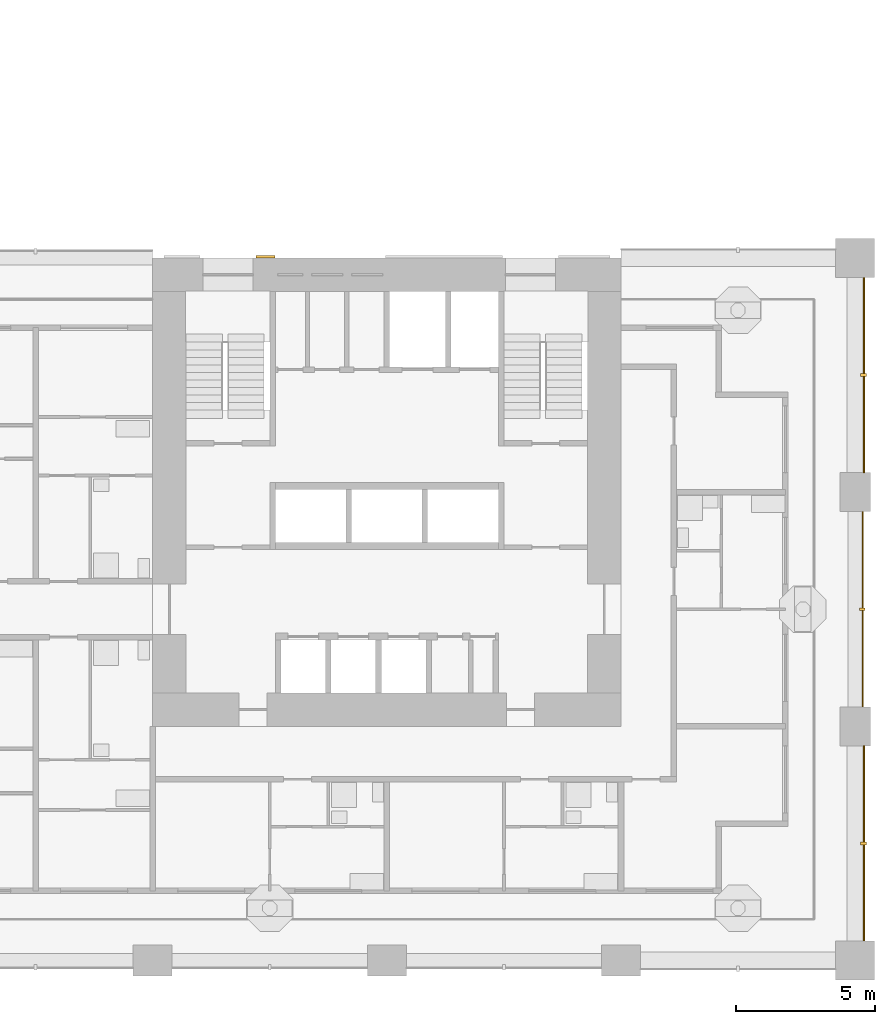
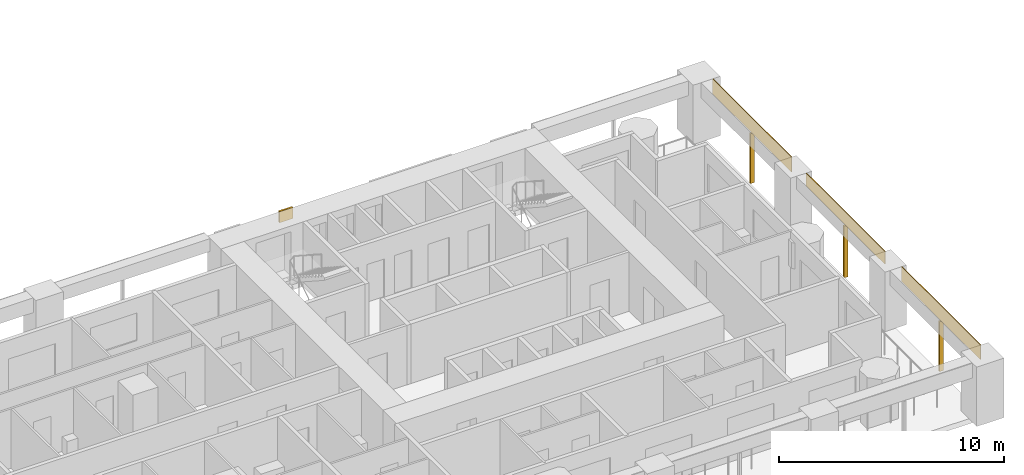
# One storey, part 18 of 22: 7 shading devices.
"""IFC4 building model written with IfcOpenShell, lengths in metres."""

from ifc_helpers import new_model, si_unit, direction, frame, origin, origin_2d, place, context, subcontext, project, spatial, rectangle, extrude, material, layer, layer_set, material_profile, profile_set, type_object, element, save


model = new_model("IFC4")

# Units and contexts
model_context = context("Model", 3, precision=1e-05, world=origin(), true_north=direction((0.0, 1.0)))
body_context = subcontext(model_context, "Body", "Model", "MODEL_VIEW")
ifc_project = project(units=[si_unit("LENGTHUNIT", "METRE"), si_unit("AREAUNIT", "SQUARE_METRE"), si_unit("VOLUMEUNIT", "CUBIC_METRE"), si_unit("PLANEANGLEUNIT", "RADIAN"), si_unit("MASSUNIT", "GRAM", prefix="KILO")], contexts=[model_context])

# Site, building, storey
site_placement = place(None, origin())
site = spatial("IfcSite", under=ifc_project, at=site_placement, CompositionType="ELEMENT")
building_placement = place(site_placement, origin())
building = spatial("IfcBuilding", under=site, at=building_placement, Name="Vermilion Gate Residences", CompositionType="ELEMENT")
storey_placement = place(building_placement, frame((0.0, 0.0, 56.699951171875)))
storey = spatial("IfcBuildingStorey", under=building, at=storey_placement, Name="L13", CompositionType="ELEMENT", Elevation=56.699951171875)

# Shading devices
ifc_material_1 = material(Name="Perforated terracotta", Category="masonry")
ifc_layer_1 = layer(ifc_material_1, 0.0400390625)
ifc_layer_set_1 = layer_set([ifc_layer_1], Name="PERFORATED TERRACOTTA SCREEN 40")
shading_device_type_1 = type_object("IfcShadingDeviceType", Name="PERFORATED TERRACOTTA SCREEN 40", PredefinedType="SHUTTER", material=ifc_layer_set_1)
shading_device_1_placement = place(storey_placement, frame((67.52001953125, 4.199951171875, 2.419921875), z_axis=(0.0, 0.0, 1.0), x_axis=(0.0, 1.0, 0.0)))
element("IfcShadingDevice", 1, at=shading_device_1_placement, inside=storey, type_object=shading_device_type_1, Name="SCREEN", PredefinedType="SHUTTER", context=body_context, shape_type="SweptSolid", body=[
    extrude(rectangle(XDim=7.0, YDim=0.0400390625, at=origin_2d()), origin(), (0.0, 0.0, 1.0), 0.800048828125),
])
shading_device_2_placement = place(storey_placement, frame((67.469970703125, 12.60009765625, 2.52001953125), z_axis=(0.0, 0.0, 1.0), x_axis=(0.0, 1.0, 0.0)))
element("IfcShadingDevice", 2, at=shading_device_2_placement, inside=storey, type_object=shading_device_type_1, Name="SCREEN", PredefinedType="SHUTTER", context=body_context, shape_type="SweptSolid", body=[
    extrude(rectangle(XDim=7.0, YDim=0.0400390625, at=origin_2d()), origin(), (0.0, 0.0, 1.0), 0.699951171875),
])
shading_device_3_placement = place(storey_placement, frame((67.52001953125, 21.0, 2.419921875), z_axis=(0.0, 0.0, 1.0), x_axis=(0.0, 1.0, 0.0)))
element("IfcShadingDevice", 3, at=shading_device_3_placement, inside=storey, type_object=shading_device_type_1, Name="SCREEN", PredefinedType="SHUTTER", context=body_context, shape_type="SweptSolid", body=[
    extrude(rectangle(XDim=7.0, YDim=0.0400390625, at=origin_2d()), origin(), (0.0, 0.0, 1.0), 0.800048828125),
])
ifc_material_2 = material(Name="Extruded terracotta", Category="masonry")
ifc_material_profile = material_profile(ifc_material_2, rectangle(XDim=0.199951171875, YDim=0.10009765625, at=origin_2d()), Name="BAGUETTE 100 X 200")
ifc_profile_set = profile_set([ifc_material_profile], Name="Extruded terracotta")
shading_device_type_2 = type_object("IfcShadingDeviceType", Name="TERRACOTTA BAGUETTE 100 X 200", PredefinedType="JALOUSIE", material=ifc_profile_set)
shading_device_4_placement = place(storey_placement, frame((67.5, 4.199951171875, -0.280029296875), z_axis=(0.0, 0.0, 1.0), x_axis=(-1.0, 0.0, 0.0)))
element("IfcShadingDevice", 4, at=shading_device_4_placement, inside=storey, type_object=shading_device_type_2, Name="BAGUETTE", PredefinedType="JALOUSIE", context=body_context, shape_type="SweptSolid", body=[
    extrude(rectangle(XDim=0.199951171875, YDim=0.10009765625, at=origin_2d()), origin(), (0.0, 0.0, 1.0), 2.7001953125),
])
shading_device_5_placement = place(storey_placement, frame((67.449951171875, 12.60009765625, -0.280029296875), z_axis=(0.0, 0.0, 1.0), x_axis=(-1.0, 0.0, 0.0)))
element("IfcShadingDevice", 5, at=shading_device_5_placement, inside=storey, type_object=shading_device_type_2, Name="BAGUETTE", PredefinedType="JALOUSIE", context=body_context, shape_type="SweptSolid", body=[
    extrude(rectangle(XDim=0.199951171875, YDim=0.10009765625, at=origin_2d()), origin(), (0.0, 0.0, 1.0), 2.800048828125),
])
shading_device_6_placement = place(storey_placement, frame((67.5, 21.0, -0.280029296875), z_axis=(0.0, 0.0, 1.0), x_axis=(-1.0, 0.0, 0.0)))
element("IfcShadingDevice", 6, at=shading_device_6_placement, inside=storey, type_object=shading_device_type_2, Name="BAGUETTE", PredefinedType="JALOUSIE", context=body_context, shape_type="SweptSolid", body=[
    extrude(rectangle(XDim=0.199951171875, YDim=0.10009765625, at=origin_2d()), origin(), (0.0, 0.0, 1.0), 2.7001953125),
])
ifc_material_3 = material(Name="Extruded terracotta", Category="masonry")
ifc_layer_2 = layer(ifc_material_3, 0.10009765625)
ifc_layer_set_2 = layer_set([ifc_layer_2], Name="TERRACOTTA SPANDREL BAND 600 X 100")
shading_device_type_3 = type_object("IfcShadingDeviceType", Name="TERRACOTTA SPANDREL BAND 600 X 100", PredefinedType="USERDEFINED", material=ifc_layer_set_2)
shading_device_7_placement = place(storey_placement, frame((46.044921875, 25.25, 2.6201171875), z_axis=(0.0, 0.0, 1.0), x_axis=(1.0, 0.0, 0.0)))
element("IfcShadingDevice", 7, at=shading_device_7_placement, inside=storey, type_object=shading_device_type_3, Name="SPANDREL BAND", ObjectType="BAND", PredefinedType="USERDEFINED", context=body_context, shape_type="SweptSolid", body=[
    extrude(rectangle(XDim=0.68994140625, YDim=0.10009765625, at=origin_2d()), origin(), (0.0, 0.0, 1.0), 0.60009765625),
])

save(model, "model.ifc")
